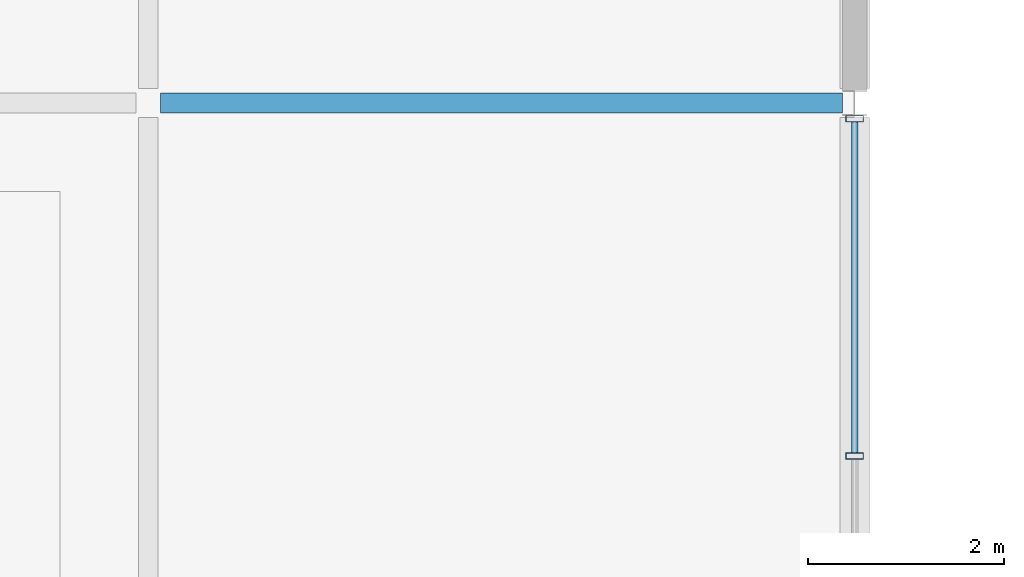
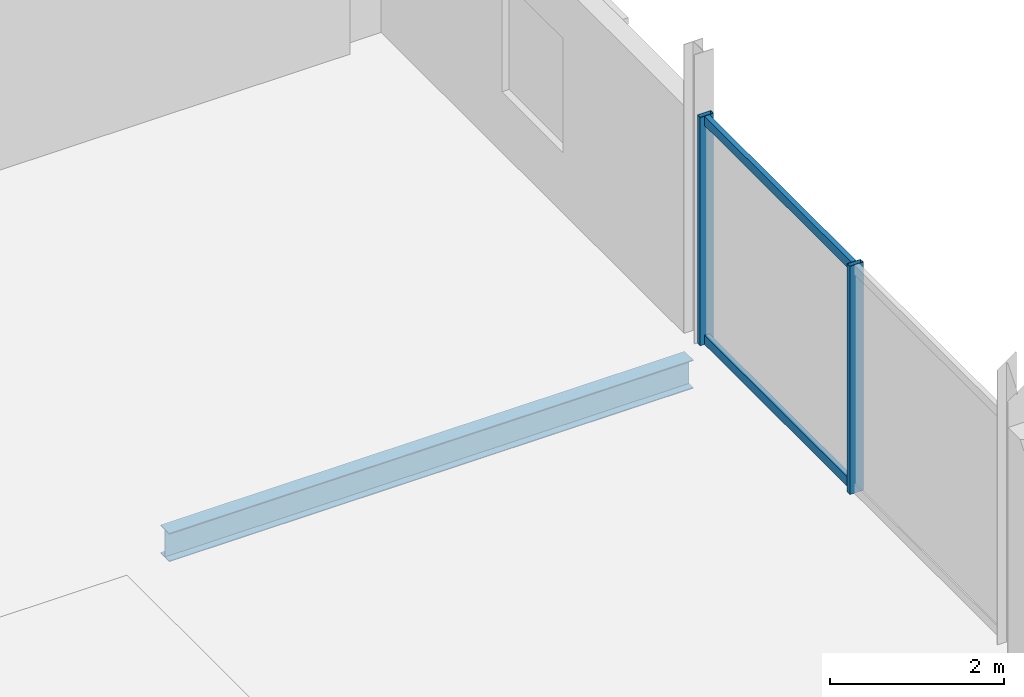
# One storey, part 19 of 107: 4 members, 1 beam, 1 element without a shape of its own.
"""IFC4 building model written with IfcOpenShell, lengths in metres."""

from ifc_helpers import new_model, si_unit, direction, frame, origin, origin_2d, place, context, subcontext, project, spatial, hollow_rectangle, i_section, extrude, material, layer, layer_set, material_profile, profile_set, type_object, element, aggregate, save


model = new_model("IFC4")

# Units and contexts
model_context = context("Model", 3, precision=1e-05, world=origin(), true_north=direction((0.0, 1.0)))
body_context = subcontext(model_context, "Body", "Model", "MODEL_VIEW")
ifc_project = project(units=[si_unit("LENGTHUNIT", "METRE"), si_unit("AREAUNIT", "SQUARE_METRE"), si_unit("VOLUMEUNIT", "CUBIC_METRE"), si_unit("PLANEANGLEUNIT", "RADIAN"), si_unit("MASSUNIT", "GRAM", prefix="KILO")], contexts=[model_context])

# Site, building, storey
site_placement = place(None, origin())
site = spatial("IfcSite", under=ifc_project, at=site_placement, CompositionType="ELEMENT")
building_placement = place(site_placement, origin())
building = spatial("IfcBuilding", under=site, at=building_placement, Name="Kangsadwip Square Police Headquarters", CompositionType="ELEMENT")
storey_placement = place(building_placement, frame((0.0, 0.0, 5.39990234375)))
storey = spatial("IfcBuildingStorey", under=building, at=storey_placement, Name="L01", CompositionType="ELEMENT", Elevation=5.39990234375)

# Curtain wall, members
ifc_material_1 = material(Name="Thermally broken anodised aluminium AW-6063-T6", Category="aluminium")
ifc_layer = layer(ifc_material_1, 0.159912109375)
ifc_layer_set = layer_set([ifc_layer], Name="Thermally broken anodised aluminium AW-6063-T6")
curtain_wall_type = type_object("IfcCurtainWallType", Name="UnitisedCw6944x3200", PredefinedType="NOTDEFINED", material=ifc_layer_set)
curtain_wall_placement = place(storey_placement, origin())
curtain_wall = element("IfcCurtainWall", 1, at=curtain_wall_placement, inside=storey, type_object=curtain_wall_type, Name="Curtain Wall CW-L01-0288-0073", PredefinedType="NOTDEFINED")
ifc_material_2 = material(Name="Thermally broken anodised aluminium AW-6063-T6", Category="aluminium")
ifc_material_profile_1 = material_profile(ifc_material_2, hollow_rectangle(XDim=0.06494140625, YDim=0.179931640625, WallThickness=0.00390625, at=origin_2d()), Name="CWM 180X65X4")
ifc_profile_set_1 = profile_set([ifc_material_profile_1], Name="Thermally broken anodised aluminium AW-6063-T6")
member_type_1 = type_object("IfcMemberType", Name="CwMullion160x65", PredefinedType="MULLION", material=ifc_profile_set_1)
member_1_placement = place(storey_placement, frame((28.800048828125, 10.800048828125, 0.0), z_axis=(0.0, 0.0, 1.0), x_axis=(0.0, 1.0, 0.0)))
member_1 = element("IfcMember", 2, at=member_1_placement, type_object=member_type_1, Name="CW-27 mullion 2", PredefinedType="MULLION", context=body_context, shape_type="SweptSolid", body=[
    extrude(hollow_rectangle(XDim=0.06494140625, YDim=0.179931640625, WallThickness=0.00390625, at=origin_2d()), origin(), (0.0, 0.0, 1.0), 3.2001953125),
])
member_2_placement = place(storey_placement, frame((28.800048828125, 14.239501953125, 0.0), z_axis=(0.0, 0.0, 1.0), x_axis=(0.0, 1.0, 0.0)))
member_2 = element("IfcMember", 3, at=member_2_placement, type_object=member_type_1, Name="CW-27 mullion 3", PredefinedType="MULLION", context=body_context, shape_type="SweptSolid", body=[
    extrude(hollow_rectangle(XDim=0.06494140625, YDim=0.179931640625, WallThickness=0.00390625, at=origin_2d()), origin(), (0.0, 0.0, 1.0), 3.2001953125),
])
ifc_material_3 = material(Name="Thermally broken anodised aluminium AW-6063-T6", Category="aluminium")
ifc_material_profile_2 = material_profile(ifc_material_3, hollow_rectangle(XDim=0.06494140625, YDim=0.1298828125, WallThickness=0.00390625, at=origin_2d()), Name="CWT 130X65X4")
ifc_profile_set_2 = profile_set([ifc_material_profile_2], Name="Thermally broken anodised aluminium AW-6063-T6")
member_type_2 = type_object("IfcMemberType", Name="CwTransom140x60", PredefinedType="USERDEFINED", material=ifc_profile_set_2)
member_3_placement = place(storey_placement, frame((28.800048828125, 10.83251953125, 0.065185546875), z_axis=(0.0, 1.0, 0.0), x_axis=(-1.0, 0.0, 0.0)))
member_3 = element("IfcMember", 4, at=member_3_placement, type_object=member_type_2, Name="CW-27 transom 2.1", ObjectType="TRANSOM", PredefinedType="USERDEFINED", context=body_context, shape_type="SweptSolid", body=[
    extrude(hollow_rectangle(XDim=0.06494140625, YDim=0.1298828125, WallThickness=0.00390625, at=origin_2d()), origin(), (0.0, 0.0, 1.0), 3.37451171875),
])
member_4_placement = place(storey_placement, frame((28.800048828125, 10.83251953125, 3.135009765625), z_axis=(0.0, 1.0, 0.0), x_axis=(-1.0, 0.0, 0.0)))
member_4 = element("IfcMember", 5, at=member_4_placement, type_object=member_type_2, Name="CW-27 transom 2.2", ObjectType="TRANSOM", PredefinedType="USERDEFINED", context=body_context, shape_type="SweptSolid", body=[
    extrude(hollow_rectangle(XDim=0.06494140625, YDim=0.1298828125, WallThickness=0.00390625, at=origin_2d()), origin(), (0.0, 0.0, 1.0), 3.37451171875),
])
aggregate(curtain_wall, [member_1, member_2, member_3, member_4])

# Beam
ifc_material_4 = material(Name="Structural steel IS 2062 E350 (Grade 350, 350 MPa)", Category="steel")
ifc_material_profile_3 = material_profile(ifc_material_4, i_section(OverallWidth=0.199951171875, OverallDepth=0.39990234375, WebThickness=0.008544921875, FlangeThickness=0.012939453125, at=origin_2d()), Name="ISWB 400")
ifc_profile_set_3 = profile_set([ifc_material_profile_3], Name="Structural steel IS 2062 E350 (Grade 350, 350 MPa)")
beam_type = type_object("IfcBeamType", Name="SteelBeamIswb400", PredefinedType="BEAM", material=ifc_profile_set_3)
beam_placement = place(storey_placement, frame((21.72509765625, 14.39990234375, -0.43994140625), z_axis=(1.0, 0.0, 0.0), x_axis=(0.0, 1.0, 0.0)))
element("IfcBeam", 6, at=beam_placement, inside=storey, type_object=beam_type, Name="Beam BM-L01-X-03-02", PredefinedType="BEAM", context=body_context, shape_type="SweptSolid", body=[
    extrude(i_section(OverallWidth=0.199951171875, OverallDepth=0.39990234375, WebThickness=0.008544921875, FlangeThickness=0.012939453125, at=origin_2d()), origin(), (0.0, 0.0, 1.0), 6.949951171875),
])

save(model, "model.ifc")
